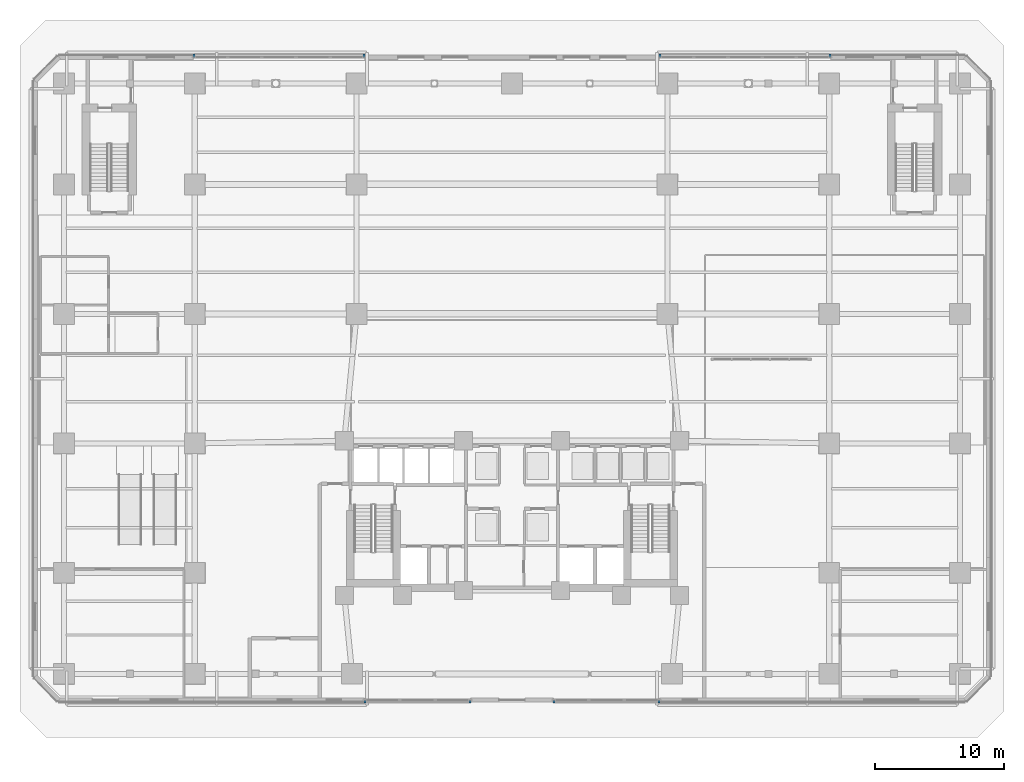
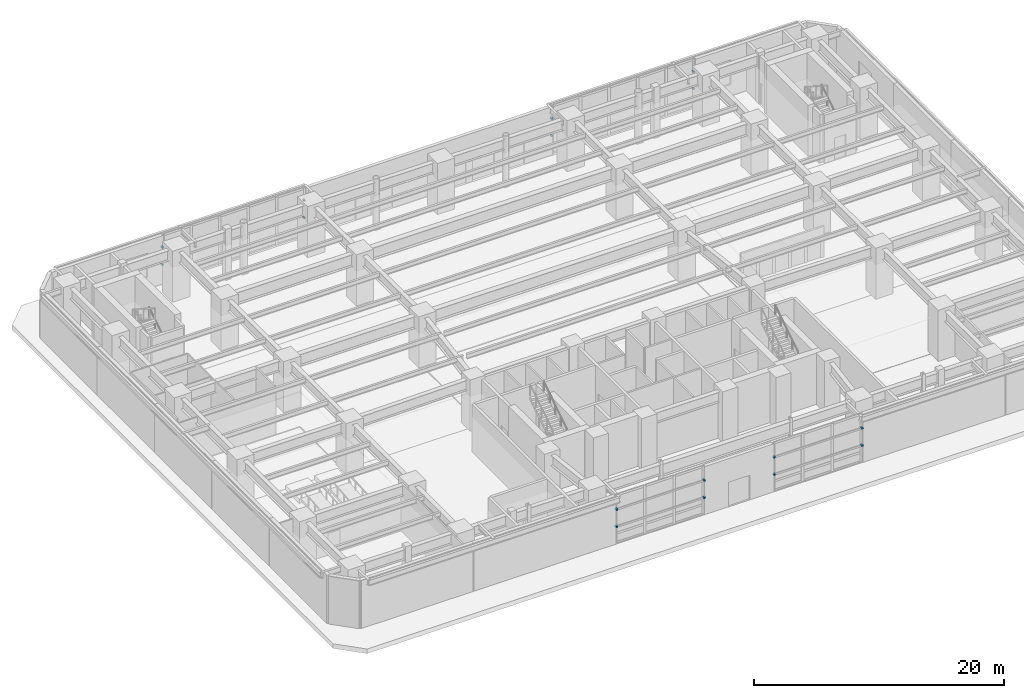
# One storey, part 18 of 26: 16 discrete accessories.
"""IFC4 building model written with IfcOpenShell, lengths in metres."""

from ifc_helpers import new_model, si_unit, direction, frame, origin, origin_2d, place, context, subcontext, project, spatial, rectangle, extrude, material, type_object, element, save


model = new_model("IFC4")

# Units and contexts
model_context = context("Model", 3, precision=1e-05, world=origin(), true_north=direction((0.0, 1.0)))
body_context = subcontext(model_context, "Body", "Model", "MODEL_VIEW")
ifc_project = project(units=[si_unit("LENGTHUNIT", "METRE"), si_unit("AREAUNIT", "SQUARE_METRE"), si_unit("VOLUMEUNIT", "CUBIC_METRE"), si_unit("PLANEANGLEUNIT", "RADIAN"), si_unit("MASSUNIT", "GRAM", prefix="KILO")], contexts=[model_context])

# Site, building, storey
site_placement = place(None, origin())
site = spatial("IfcSite", under=ifc_project, at=site_placement, CompositionType="ELEMENT")
building_placement = place(site_placement, origin())
building = spatial("IfcBuilding", under=site, at=building_placement, Name="Quenlor Broadcast Tower", CompositionType="ELEMENT")
storey_placement = place(building_placement, origin())
storey = spatial("IfcBuildingStorey", under=building, at=storey_placement, Name="L00", CompositionType="ELEMENT", Elevation=0.0)

# Discrete accessories
ifc_material = material(Name="Aluminium 6063-T6", Category="aluminium")
discrete_accessory_type = type_object("IfcDiscreteAccessoryType", Name="Stainless Mullion Baguette Support Bracket", PredefinedType="BRACKET", material=ifc_material)
for number, where, z_axis, x_axis, name in (
    (1, (11.35888671875, -24.93994140625, 1.6220703125), (0.0, 0.0, 1.0), (-1.0, 0.0, 0.0), "L00 Baguette Mullion Bracket 1.1"),
    (2, (3.240966796875, -24.93994140625, 1.6220703125), (0.0, 0.0, 1.0), (-1.0, 0.0, 0.0), "L00 Baguette Mullion Bracket 1.2"),
    (3, (11.35888671875, -24.93994140625, 3.31396484375), (0.0, 0.0, 1.0), (-1.0, 0.0, 0.0), "L00 Baguette Mullion Bracket 2.1"),
    (4, (3.240966796875, -24.93994140625, 3.31396484375), (0.0, 0.0, 1.0), (-1.0, 0.0, 0.0), "L00 Baguette Mullion Bracket 2.2"),
    (5, (-3.240966796875, -24.93994140625, 1.6220703125), (0.0, 0.0, 1.0), (-1.0, 0.0, 0.0), "L00 Baguette Mullion Bracket 1.1"),
    (6, (-11.35888671875, -24.93994140625, 1.6220703125), (0.0, 0.0, 1.0), (-1.0, 0.0, 0.0), "L00 Baguette Mullion Bracket 1.2"),
    (7, (-3.240966796875, -24.93994140625, 3.31396484375), (0.0, 0.0, 1.0), (-1.0, 0.0, 0.0), "L00 Baguette Mullion Bracket 2.1"),
    (8, (-11.35888671875, -24.93994140625, 3.31396484375), (0.0, 0.0, 1.0), (-1.0, 0.0, 0.0), "L00 Baguette Mullion Bracket 2.2"),
    (9, (-24.55908203125, 24.93994140625, 1.6220703125), (0.0, 0.0, 1.0), (1.0, 0.0, 0.0), "L00 Baguette Mullion Bracket 1.1"),
    (10, (-11.44091796875, 24.93994140625, 1.6220703125), (0.0, 0.0, 1.0), (1.0, 0.0, 0.0), "L00 Baguette Mullion Bracket 1.2"),
    (11, (-24.55908203125, 24.93994140625, 3.31396484375), (0.0, 0.0, 1.0), (1.0, 0.0, 0.0), "L00 Baguette Mullion Bracket 2.1"),
    (12, (-11.44091796875, 24.93994140625, 3.31396484375), (0.0, 0.0, 1.0), (1.0, 0.0, 0.0), "L00 Baguette Mullion Bracket 2.2"),
    (13, (11.44091796875, 24.93994140625, 1.6220703125), (0.0, 0.0, 1.0), (1.0, 0.0, 0.0), "L00 Baguette Mullion Bracket 1.1"),
    (14, (24.55908203125, 24.93994140625, 1.6220703125), (0.0, 0.0, 1.0), (1.0, 0.0, 0.0), "L00 Baguette Mullion Bracket 1.2"),
    (15, (11.44091796875, 24.93994140625, 3.31396484375), (0.0, 0.0, 1.0), (1.0, 0.0, 0.0), "L00 Baguette Mullion Bracket 2.1"),
    (16, (24.55908203125, 24.93994140625, 3.31396484375), (0.0, 0.0, 1.0), (1.0, 0.0, 0.0), "L00 Baguette Mullion Bracket 2.2"),
):
    element("IfcDiscreteAccessory", number, at=place(storey_placement, frame(where, z_axis=z_axis, x_axis=x_axis)), inside=storey, type_object=discrete_accessory_type, Name=name, PredefinedType="BRACKET", context=body_context, shape_type="SweptSolid", body=[
        extrude(rectangle(XDim=0.159912109375, YDim=0.239990234375, at=origin_2d()), origin(), (0.0, 0.0, 1.0), 0.139892578125),
    ])

save(model, "model.ifc")
